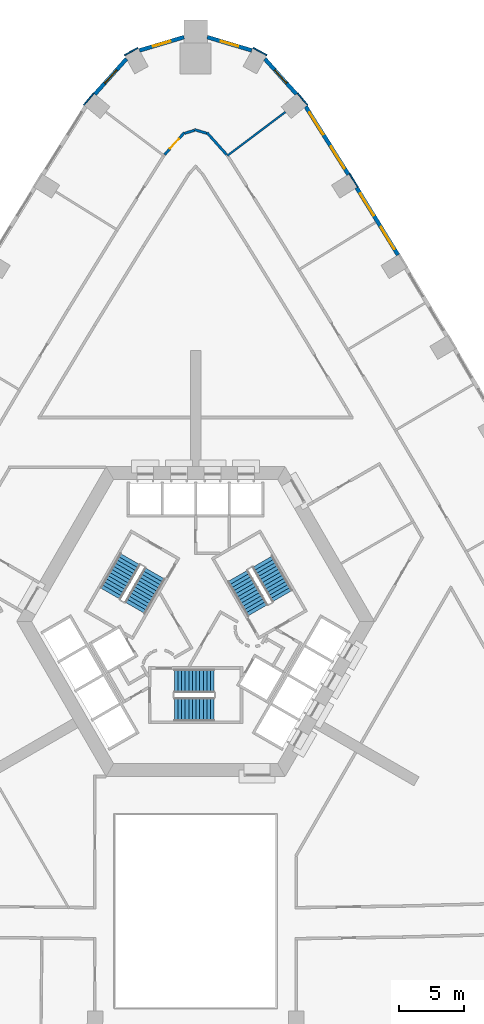
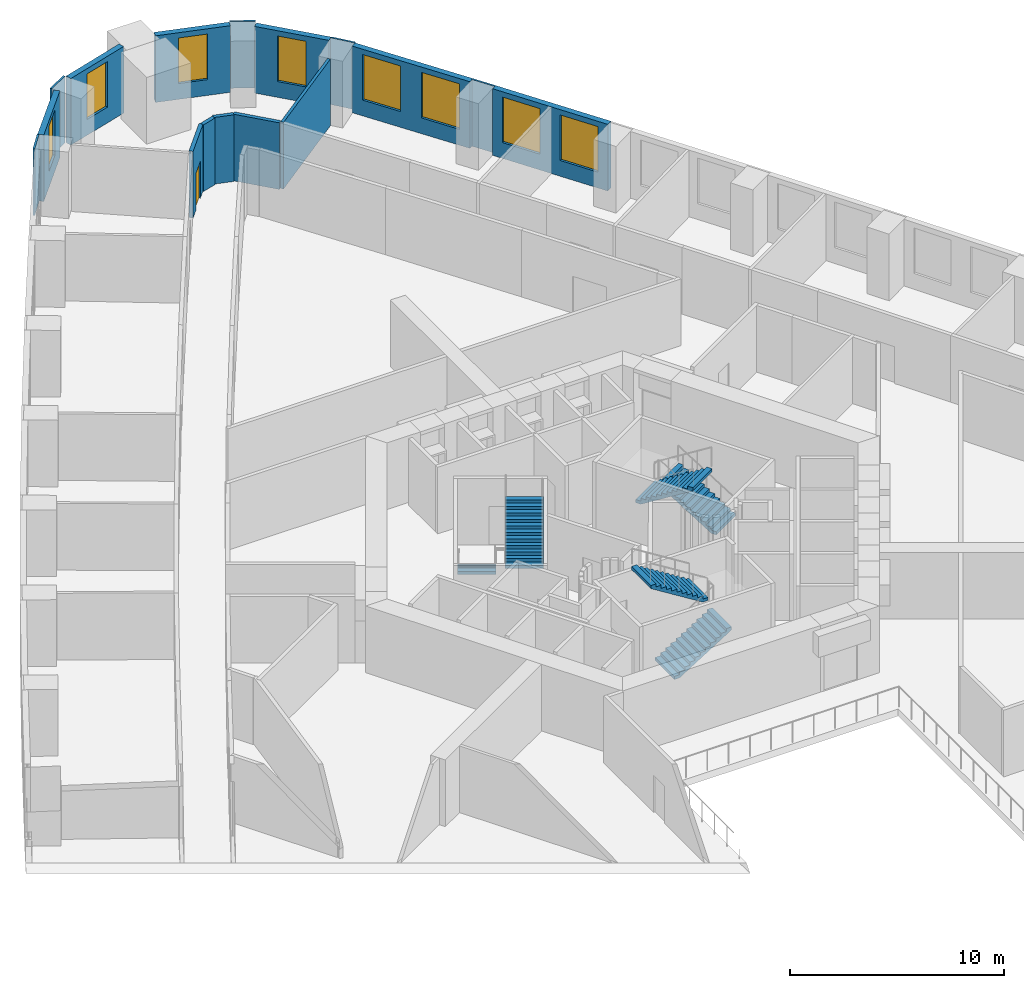
# One storey, part 12 of 14: 16 walls, 8 windows, 6 stair flights, 1 door, 9 openings, 3 elements without a shape of their own.
"""IFC4 building model written with IfcOpenShell, lengths in metres."""

from ifc_helpers import new_model, si_unit, direction, frame, frame_2d, origin, place, context, subcontext, project, spatial, polyline, rectangle, outline, extrude, material, layer, layer_set, type_object, element, fill, aggregate, save


model = new_model("IFC4")

# Units and contexts
model_context = context("Model", 3, precision=1e-05, world=origin(), true_north=direction((0.0, 1.0)))
body_context = subcontext(model_context, "Body", "Model", "MODEL_VIEW")
ifc_project = project(units=[si_unit("LENGTHUNIT", "METRE"), si_unit("AREAUNIT", "SQUARE_METRE"), si_unit("VOLUMEUNIT", "CUBIC_METRE"), si_unit("PLANEANGLEUNIT", "RADIAN"), si_unit("MASSUNIT", "GRAM", prefix="KILO")], contexts=[model_context])

# Site, building, storey
site_placement = place(None, origin())
site = spatial("IfcSite", under=ifc_project, at=site_placement, CompositionType="ELEMENT")
building_placement = place(site_placement, origin())
building = spatial("IfcBuilding", under=site, at=building_placement, Name="Entoto Arch Interchange Tower", CompositionType="ELEMENT")
storey_placement = place(building_placement, frame((0.0, 0.0, 64.39990234375)))
storey = spatial("IfcBuildingStorey", under=building, at=storey_placement, Name="L13", CompositionType="ELEMENT", Elevation=64.39990234375)

# Wall
ifc_material_1 = material(Name="Gypsum board partition on steel studs", Category="steel")
ifc_layer_1 = layer(ifc_material_1, 0.14990234375)
ifc_layer_set_1 = layer_set([ifc_layer_1], Name="Gypsum board partition on steel studs")
wall_type_1 = type_object("IfcWallType", Name="PARTITION 150", PredefinedType="PARTITIONING", material=ifc_layer_set_1)
wall_1_placement = place(storey_placement, frame((2.466064453125, 38.580078125, 0.0), z_axis=(0.0, 0.0, 1.0), x_axis=(0.798796148738, 0.601601789193, 0.0)))
element("IfcWall", 1, at=wall_1_placement, inside=storey, type_object=wall_type_1, Name="wall:L13:p141", PredefinedType="PARTITIONING", context=body_context, shape_type="SweptSolid", body=[
    extrude(rectangle(XDim=5.604736328125, YDim=0.14990234375, at=frame_2d((2.80224609375, 0.0))), origin(), (0.0, 0.0, 1.0), 3.800048828125),
])

# Wall, opening, door
ifc_layer_2 = layer(ifc_material_1, 0.199951171875)
ifc_layer_set_2 = layer_set([ifc_layer_2], Name="Gypsum board partition on steel studs")
wall_type_2 = type_object("IfcWallType", Name="PARTITION 200", PredefinedType="PARTITIONING", material=ifc_layer_set_2)
wall_2_placement = place(storey_placement, frame((-2.39990234375, 38.655029296875, 0.0), z_axis=(0.0, 0.0, 1.0), x_axis=(0.666791730919, 0.745244112743, 0.0)))
wall_2 = element("IfcWall", 2, at=wall_2_placement, inside=storey, type_object=wall_type_2, Name="wall:L13:p062", PredefinedType="PARTITIONING", context=body_context, shape_type="SweptSolid", body=[
    extrude(rectangle(XDim=2.281005859375, YDim=0.199951171875, at=frame_2d((1.140625, 0.0))), origin(), (0.0, 0.0, 1.0), 3.800048828125),
])
opening_1_placement = place(wall_2_placement, frame((0.64111328125, 0.0, 0.0)))
opening_1 = element("IfcOpeningElement", 3, at=opening_1_placement, cuts=wall_2, Name="Opening L13-D09", PredefinedType="OPENING", context=body_context, shape_type="SweptSolid", body=[
    extrude(rectangle(XDim=1.0, YDim=2.10009765625, at=frame_2d((0.5, 1.050048828125))), frame((0.0, 0.10986328125, 0.0), z_axis=(0.0, -1.0, 0.0), x_axis=(1.0, 0.0, 0.0)), (0.0, 0.0, 1.0), 0.219970703125),
])
ifc_material_2 = material(Name="Timber door leaf in Steel S235 frame", Category="steel")
door_type = type_object("IfcDoorType", Name="DOOR DS-10 1000x2100", OperationType="SINGLE_SWING_LEFT", PredefinedType="DOOR", material=ifc_material_2)
door_placement = place(opening_1_placement, origin())
door = element("IfcDoor", 4, at=door_placement, inside=storey, type_object=door_type, Name="door:L13:09", OperationType="SINGLE_SWING_LEFT", OverallHeight=2.10009765625, OverallWidth=1.0, PredefinedType="DOOR", context=body_context, shape_type="SweptSolid", body=[
    extrude(rectangle(XDim=1.0, YDim=2.10009765625, at=frame_2d((0.5, 1.050048828125))), frame((0.0, 0.02490234375, 0.0), z_axis=(0.0, -1.0, 0.0), x_axis=(1.0, 0.0, 0.0)), (0.0, 0.0, 1.0), 0.050048828125),
])
fill(opening_1, door)

# Walls
wall_3_placement = place(storey_placement, frame((-0.84912109375, 40.30908203125, 0.0), z_axis=(0.0, 0.0, 1.0), x_axis=(0.958210118601, 0.286065322279, 0.0)))
element("IfcWall", 5, at=wall_3_placement, inside=storey, type_object=wall_type_2, Name="wall:L13:p063", PredefinedType="PARTITIONING", context=body_context, shape_type="SweptSolid", body=[
    extrude(rectangle(XDim=0.7861328125, YDim=0.199951171875, at=frame_2d((0.39306640625, 0.0))), origin(), (0.0, 0.0, 1.0), 3.800048828125),
])
wall_4_placement = place(storey_placement, frame((-0.095947265625, 40.591064453125, 0.0), z_axis=(0.0, 0.0, 1.0), x_axis=(0.958254449469, -0.285916788721, 0.0)))
element("IfcWall", 6, at=wall_4_placement, inside=storey, type_object=wall_type_2, Name="wall:L13:p064", PredefinedType="PARTITIONING", context=body_context, shape_type="SweptSolid", body=[
    extrude(rectangle(XDim=0.986328125, YDim=0.199951171875, at=frame_2d((0.4931640625, 0.0))), origin(), (0.0, 0.0, 1.0), 3.800048828125),
])
wall_5_placement = place(storey_placement, frame((0.87890625, 40.35498046875, 0.0), z_axis=(0.0, 0.0, 1.0), x_axis=(0.666791730919, -0.745244112743, 0.0)))
element("IfcWall", 7, at=wall_5_placement, inside=storey, type_object=wall_type_2, Name="wall:L13:p065", PredefinedType="PARTITIONING", context=body_context, shape_type="SweptSolid", body=[
    extrude(rectangle(XDim=2.281005859375, YDim=0.199951171875, at=frame_2d((1.140625, 0.0))), origin(), (0.0, 0.0, 1.0), 3.800048828125),
])

# Wall, openings, windows
ifc_material_3 = material(Name="Welded tuff (ignimbrite) cladding, warm buff", Category="masonry")
ifc_layer_3 = layer(ifc_material_3, 0.300048828125)
ifc_layer_set_3 = layer_set([ifc_layer_3], Name="Welded tuff (ignimbrite) cladding, warm buff")
wall_type_3 = type_object("IfcWallType", Name="STONE INFILL WALL 300", PredefinedType="STANDARD", material=ifc_layer_set_3)
wall_6_placement = place(storey_placement, frame((15.677001953125, 30.882080078125, 0.0), z_axis=(0.0, 0.0, 1.0), x_axis=(-0.524239751329, 0.851570715282, 0.0)))
wall_6 = element("IfcWall", 8, at=wall_6_placement, inside=storey, type_object=wall_type_3, Name="Facade wall NE-08 L13", PredefinedType="STANDARD", context=body_context, shape_type="SweptSolid", body=[
    extrude(rectangle(XDim=6.125, YDim=0.300048828125, at=frame_2d((3.0625, 0.0))), origin(), (0.0, 0.0, 1.0), 3.800048828125),
])
opening_2_placement = place(wall_6_placement, frame((0.531005859375, 0.0, 0.89990234375)))
opening_2 = element("IfcOpeningElement", 9, at=opening_2_placement, cuts=wall_6, Name="Opening WO-C", PredefinedType="OPENING", context=body_context, shape_type="SweptSolid", body=[
    extrude(rectangle(XDim=2.0, YDim=2.60009765625, at=frame_2d((1.0, 1.300048828125))), frame((0.0, 0.16015625, 0.0), z_axis=(0.0, -1.0, 0.0), x_axis=(1.0, 0.0, 0.0)), (0.0, 0.0, 1.0), 0.320068359375),
])
opening_3_placement = place(wall_6_placement, frame((3.593994140625, 0.0, 0.89990234375)))
opening_3 = element("IfcOpeningElement", 10, at=opening_3_placement, cuts=wall_6, Name="Opening WO-C", PredefinedType="OPENING", context=body_context, shape_type="SweptSolid", body=[
    extrude(rectangle(XDim=2.0, YDim=2.60009765625, at=frame_2d((1.0, 1.300048828125))), frame((0.0, 0.16015625, 0.0), z_axis=(0.0, -1.0, 0.0), x_axis=(1.0, 0.0, 0.0)), (0.0, 0.0, 1.0), 0.320068359375),
])
ifc_material_4 = material(Name="Clear glass, low-e double glazed", Category="glass")
window_type_1 = type_object("IfcWindowType", Name="WINDOW WO-C 2000x2600", PartitioningType="DOUBLE_PANEL_VERTICAL", PredefinedType="WINDOW", material=ifc_material_4)
window_1_placement = place(opening_2_placement, origin())
window_1 = element("IfcWindow", 11, at=window_1_placement, inside=storey, type_object=window_type_1, Name="Window WO-C NE-08 L13", OverallHeight=2.60009765625, OverallWidth=2.0, PartitioningType="SINGLE_PANEL", PredefinedType="WINDOW", context=body_context, shape_type="SweptSolid", body=[
    extrude(rectangle(XDim=2.0, YDim=2.60009765625, at=frame_2d((1.0, 1.300048828125))), frame((0.0, 0.030029296875, 0.0), z_axis=(0.0, -1.0, 0.0), x_axis=(1.0, 0.0, 0.0)), (0.0, 0.0, 1.0), 0.06005859375),
])
fill(opening_2, window_1)
window_2_placement = place(opening_3_placement, origin())
window_2 = element("IfcWindow", 12, at=window_2_placement, inside=storey, type_object=window_type_1, Name="Window WO-C NE-08 L13", OverallHeight=2.60009765625, OverallWidth=2.0, PartitioningType="SINGLE_PANEL", PredefinedType="WINDOW", context=body_context, shape_type="SweptSolid", body=[
    extrude(rectangle(XDim=2.0, YDim=2.60009765625, at=frame_2d((1.0, 1.300048828125))), frame((0.0, 0.030029296875, 0.0), z_axis=(0.0, -1.0, 0.0), x_axis=(1.0, 0.0, 0.0)), (0.0, 0.0, 1.0), 0.06005859375),
])
fill(opening_3, window_2)

wall_7_placement = place(storey_placement, frame((11.8330078125, 37.115966796875, 0.0), z_axis=(0.0, 0.0, 1.0), x_axis=(-0.532322705893, 0.846541515102, 0.0)))
wall_7 = element("IfcWall", 13, at=wall_7_placement, inside=storey, type_object=wall_type_3, Name="Facade wall NE-09 L13", PredefinedType="STANDARD", context=body_context, shape_type="SweptSolid", body=[
    extrude(rectangle(XDim=6.21826171875, YDim=0.300048828125, at=frame_2d((3.109130859375, 0.0))), origin(), (0.0, 0.0, 1.0), 3.800048828125),
])
opening_4_placement = place(wall_7_placement, frame((0.554931640625, 0.0, 0.89990234375)))
opening_4 = element("IfcOpeningElement", 14, at=opening_4_placement, cuts=wall_7, Name="Opening WO-C", PredefinedType="OPENING", context=body_context, shape_type="SweptSolid", body=[
    extrude(rectangle(XDim=2.0, YDim=2.60009765625, at=frame_2d((1.0, 1.300048828125))), frame((0.0, 0.16015625, 0.0), z_axis=(0.0, -1.0, 0.0), x_axis=(1.0, 0.0, 0.0)), (0.0, 0.0, 1.0), 0.320068359375),
])
opening_5_placement = place(wall_7_placement, frame((3.6640625, 0.0, 0.89990234375)))
opening_5 = element("IfcOpeningElement", 15, at=opening_5_placement, cuts=wall_7, Name="Opening WO-C", PredefinedType="OPENING", context=body_context, shape_type="SweptSolid", body=[
    extrude(rectangle(XDim=2.0, YDim=2.60009765625, at=frame_2d((1.0, 1.300048828125))), frame((0.0, 0.16015625, 0.0), z_axis=(0.0, -1.0, 0.0), x_axis=(1.0, 0.0, 0.0)), (0.0, 0.0, 1.0), 0.320068359375),
])
window_3_placement = place(opening_4_placement, origin())
window_3 = element("IfcWindow", 16, at=window_3_placement, inside=storey, type_object=window_type_1, Name="Window WO-C NE-09 L13", OverallHeight=2.60009765625, OverallWidth=2.0, PartitioningType="SINGLE_PANEL", PredefinedType="WINDOW", context=body_context, shape_type="SweptSolid", body=[
    extrude(rectangle(XDim=2.0, YDim=2.60009765625, at=frame_2d((1.0, 1.300048828125))), frame((0.0, 0.030029296875, 0.0), z_axis=(0.0, -1.0, 0.0), x_axis=(1.0, 0.0, 0.0)), (0.0, 0.0, 1.0), 0.06005859375),
])
fill(opening_4, window_3)
window_4_placement = place(opening_5_placement, origin())
window_4 = element("IfcWindow", 17, at=window_4_placement, inside=storey, type_object=window_type_1, Name="Window WO-C NE-09 L13", OverallHeight=2.60009765625, OverallWidth=2.0, PartitioningType="SINGLE_PANEL", PredefinedType="WINDOW", context=body_context, shape_type="SweptSolid", body=[
    extrude(rectangle(XDim=2.0, YDim=2.60009765625, at=frame_2d((1.0, 1.300048828125))), frame((0.0, 0.030029296875, 0.0), z_axis=(0.0, -1.0, 0.0), x_axis=(1.0, 0.0, 0.0)), (0.0, 0.0, 1.0), 0.06005859375),
])
fill(opening_5, window_4)

# Wall, opening, window
wall_8_placement = place(storey_placement, frame((7.802978515625, 43.339111328125, 0.0), z_axis=(0.0, 0.0, 1.0), x_axis=(-0.666901909312, 0.745145518242, 0.0)))
wall_8 = element("IfcWall", 18, at=wall_8_placement, inside=storey, type_object=wall_type_3, Name="Facade wall N-01 L13", PredefinedType="STANDARD", context=body_context, shape_type="SweptSolid", body=[
    extrude(rectangle(XDim=3.666259765625, YDim=0.300048828125, at=frame_2d((1.8330078125, 0.0))), origin(), (0.0, 0.0, 1.0), 3.800048828125),
])
opening_6_placement = place(wall_8_placement, frame((1.133056640625, 0.0, 0.89990234375)))
opening_6 = element("IfcOpeningElement", 19, at=opening_6_placement, cuts=wall_8, Name="Opening WO-B", PredefinedType="OPENING", context=body_context, shape_type="SweptSolid", body=[
    extrude(rectangle(XDim=1.39990234375, YDim=2.60009765625, at=frame_2d((0.699951171875, 1.300048828125))), frame((0.0, 0.16015625, 0.0), z_axis=(0.0, -1.0, 0.0), x_axis=(1.0, 0.0, 0.0)), (0.0, 0.0, 1.0), 0.320068359375),
])
window_type_2 = type_object("IfcWindowType", Name="WINDOW WO-B 1400x2600", PartitioningType="DOUBLE_PANEL_VERTICAL", PredefinedType="WINDOW", material=ifc_material_4)
window_5_placement = place(opening_6_placement, origin())
window_5 = element("IfcWindow", 20, at=window_5_placement, inside=storey, type_object=window_type_2, Name="Window WO-B N-01 L13", OverallHeight=2.60009765625, OverallWidth=1.39990234375, PartitioningType="SINGLE_PANEL", PredefinedType="WINDOW", context=body_context, shape_type="SweptSolid", body=[
    extrude(rectangle(XDim=1.39990234375, YDim=2.60009765625, at=frame_2d((0.699951171875, 1.300048828125))), frame((0.0, 0.030029296875, 0.0), z_axis=(0.0, -1.0, 0.0), x_axis=(1.0, 0.0, 0.0)), (0.0, 0.0, 1.0), 0.06005859375),
])
fill(opening_6, window_5)

wall_9_placement = place(storey_placement, frame((4.35009765625, 46.72509765625, 0.0), z_axis=(0.0, 0.0, 1.0), x_axis=(-0.958083325779, 0.286489687186, 0.0)))
wall_9 = element("IfcWall", 21, at=wall_9_placement, inside=storey, type_object=wall_type_3, Name="Facade wall N-02 L13", PredefinedType="STANDARD", context=body_context, shape_type="SweptSolid", body=[
    extrude(rectangle(XDim=3.60205078125, YDim=0.300048828125, at=frame_2d((1.801025390625, 0.0))), origin(), (0.0, 0.0, 1.0), 3.800048828125),
])
opening_7_placement = place(wall_9_placement, frame((1.10107421875, 0.0, 0.89990234375)))
opening_7 = element("IfcOpeningElement", 22, at=opening_7_placement, cuts=wall_9, Name="Opening WO-B", PredefinedType="OPENING", context=body_context, shape_type="SweptSolid", body=[
    extrude(rectangle(XDim=1.39990234375, YDim=2.60009765625, at=frame_2d((0.699951171875, 1.300048828125))), frame((0.0, 0.16015625, 0.0), z_axis=(0.0, -1.0, 0.0), x_axis=(1.0, 0.0, 0.0)), (0.0, 0.0, 1.0), 0.320068359375),
])
window_6_placement = place(opening_7_placement, origin())
window_6 = element("IfcWindow", 23, at=window_6_placement, inside=storey, type_object=window_type_2, Name="Window WO-B N-02 L13", OverallHeight=2.60009765625, OverallWidth=1.39990234375, PartitioningType="SINGLE_PANEL", PredefinedType="WINDOW", context=body_context, shape_type="SweptSolid", body=[
    extrude(rectangle(XDim=1.39990234375, YDim=2.60009765625, at=frame_2d((0.699951171875, 1.300048828125))), frame((0.0, 0.030029296875, 0.0), z_axis=(0.0, -1.0, 0.0), x_axis=(1.0, 0.0, 0.0)), (0.0, 0.0, 1.0), 0.06005859375),
])
fill(opening_7, window_6)

wall_10_placement = place(storey_placement, frame((-0.89892578125, 47.757080078125, 0.0), z_axis=(0.0, 0.0, 1.0), x_axis=(-0.958083325779, -0.286489687186, 0.0)))
wall_10 = element("IfcWall", 24, at=wall_10_placement, inside=storey, type_object=wall_type_3, Name="Facade wall N-03 L13", PredefinedType="STANDARD", context=body_context, shape_type="SweptSolid", body=[
    extrude(rectangle(XDim=3.60205078125, YDim=0.300048828125, at=frame_2d((1.801025390625, 0.0))), origin(), (0.0, 0.0, 1.0), 3.800048828125),
])
opening_8_placement = place(wall_10_placement, frame((1.10107421875, 0.0, 0.89990234375)))
opening_8 = element("IfcOpeningElement", 25, at=opening_8_placement, cuts=wall_10, Name="Opening WO-B", PredefinedType="OPENING", context=body_context, shape_type="SweptSolid", body=[
    extrude(rectangle(XDim=1.39990234375, YDim=2.60009765625, at=frame_2d((0.699951171875, 1.300048828125))), frame((0.0, 0.16015625, 0.0), z_axis=(0.0, -1.0, 0.0), x_axis=(1.0, 0.0, 0.0)), (0.0, 0.0, 1.0), 0.320068359375),
])
window_7_placement = place(opening_8_placement, origin())
window_7 = element("IfcWindow", 26, at=window_7_placement, inside=storey, type_object=window_type_2, Name="Window WO-B N-03 L13", OverallHeight=2.60009765625, OverallWidth=1.39990234375, PartitioningType="SINGLE_PANEL", PredefinedType="WINDOW", context=body_context, shape_type="SweptSolid", body=[
    extrude(rectangle(XDim=1.39990234375, YDim=2.60009765625, at=frame_2d((0.699951171875, 1.300048828125))), frame((0.0, 0.030029296875, 0.0), z_axis=(0.0, -1.0, 0.0), x_axis=(1.0, 0.0, 0.0)), (0.0, 0.0, 1.0), 0.06005859375),
])
fill(opening_8, window_7)

wall_11_placement = place(storey_placement, frame((-5.35791015625, 46.071044921875, 0.0), z_axis=(0.0, 0.0, 1.0), x_axis=(-0.666901909312, -0.745145518242, 0.0)))
wall_11 = element("IfcWall", 27, at=wall_11_placement, inside=storey, type_object=wall_type_3, Name="Facade wall N-04 L13", PredefinedType="STANDARD", context=body_context, shape_type="SweptSolid", body=[
    extrude(rectangle(XDim=3.666259765625, YDim=0.300048828125, at=frame_2d((1.8330078125, 0.0))), origin(), (0.0, 0.0, 1.0), 3.800048828125),
])
opening_9_placement = place(wall_11_placement, frame((1.133056640625, 0.0, 0.89990234375)))
opening_9 = element("IfcOpeningElement", 28, at=opening_9_placement, cuts=wall_11, Name="Opening WO-B", PredefinedType="OPENING", context=body_context, shape_type="SweptSolid", body=[
    extrude(rectangle(XDim=1.39990234375, YDim=2.60009765625, at=frame_2d((0.699951171875, 1.300048828125))), frame((0.0, 0.16015625, 0.0), z_axis=(0.0, -1.0, 0.0), x_axis=(1.0, 0.0, 0.0)), (0.0, 0.0, 1.0), 0.320068359375),
])
window_8_placement = place(opening_9_placement, origin())
window_8 = element("IfcWindow", 29, at=window_8_placement, inside=storey, type_object=window_type_2, Name="Window WO-B N-04 L13", OverallHeight=2.60009765625, OverallWidth=1.39990234375, PartitioningType="SINGLE_PANEL", PredefinedType="WINDOW", context=body_context, shape_type="SweptSolid", body=[
    extrude(rectangle(XDim=1.39990234375, YDim=2.60009765625, at=frame_2d((0.699951171875, 1.300048828125))), frame((0.0, 0.030029296875, 0.0), z_axis=(0.0, -1.0, 0.0), x_axis=(1.0, 0.0, 0.0)), (0.0, 0.0, 1.0), 0.06005859375),
])
fill(opening_9, window_8)

# Walls
ifc_layer_4 = layer(ifc_material_3, 0.10009765625)
ifc_layer_set_4 = layer_set([ifc_layer_4], Name="Welded tuff (ignimbrite) cladding, warm buff")
wall_type_4 = type_object("IfcWallType", Name="STONE PIER CLADDING 100", PredefinedType="STANDARD", material=ifc_layer_set_4)
for number, where, z_axis, x_axis, name in (
    (30, (5.512939453125, 46.35205078125, 0.0), (0.0, 0.0, 1.0), (-0.877155474831, 0.480206489934, 0.0), "Stone pier N1 L13"),
    (31, (-4.4609375, 46.927978515625, 0.0), (0.0, 0.0, 1.0), (-0.877155474831, -0.480206489934, 0.0), "Stone pier N3 L13"),
):
    element("IfcWall", number, at=place(storey_placement, frame(where, z_axis=z_axis, x_axis=x_axis)), inside=storey, type_object=wall_type_4, Name=name, PredefinedType="STANDARD", context=body_context, shape_type="SweptSolid", body=[
        extrude(rectangle(XDim=1.19921875, YDim=0.10009765625, at=frame_2d((0.599609375, 0.0))), origin(), (0.0, 0.0, 1.0), 3.800048828125),
    ])
wall_12_placement = place(storey_placement, frame((12.554931640625, 36.153076171875, 0.0), z_axis=(0.0, 0.0, 1.0), x_axis=(-0.530273374944, 0.847826720401, 0.0)))
element("IfcWall", 32, at=wall_12_placement, inside=storey, type_object=wall_type_4, Name="Stone pier NE09 L13", PredefinedType="STANDARD", context=body_context, shape_type="SweptSolid", body=[
    extrude(rectangle(XDim=1.199462890625, YDim=0.10009765625, at=frame_2d((0.599609375, 0.0))), origin(), (0.0, 0.0, 1.0), 3.800048828125),
])
for number, where, z_axis, x_axis, name in (
    (33, (8.662109375, 42.493896484375, 0.0), (0.0, 0.0, 1.0), (-0.637759271497, 0.770235750676, 0.0), "Stone pier NE10 L13"),
    (34, (-7.89697265625, 43.41796875, 0.0), (0.0, 0.0, 1.0), (-0.637759271497, -0.770235750676, 0.0), "Stone pier NW01 L13"),
):
    element("IfcWall", number, at=place(storey_placement, frame(where, z_axis=z_axis, x_axis=x_axis)), inside=storey, type_object=wall_type_4, Name=name, PredefinedType="STANDARD", context=body_context, shape_type="SweptSolid", body=[
        extrude(rectangle(XDim=1.19970703125, YDim=0.10009765625, at=frame_2d((0.599853515625, 0.0))), origin(), (0.0, 0.0, 1.0), 3.800048828125),
    ])

# Stair, stair flights
ifc_material_5 = material(Name="Concrete C40/50", Category="concrete")
stair_type = type_object("IfcStairType", Name="EXIT STAIR RC 1800", PredefinedType="HALF_TURN_STAIR", material=ifc_material_5)
stair_1_placement = place(storey_placement, origin())
stair_1 = element("IfcStair", 35, at=stair_1_placement, inside=storey, type_object=stair_type, Name="L13 Exit stair S", PredefinedType="HALF_TURN_STAIR")
stair_flight_type = type_object("IfcStairFlightType", Name="EXIT STAIR FLIGHT RC 1800", PredefinedType="STRAIGHT", material=ifc_material_5)
stair_flight_1_placement = place(storey_placement, frame((-1.64990234375, -4.300048828125, 0.0), z_axis=(0.0, 0.0, 1.0), x_axis=(1.0, 0.0, 0.0)))
stair_flight_1 = element("IfcStairFlight", 36, at=stair_flight_1_placement, type_object=stair_flight_type, Name="ST-S flight 1", NumberOfRisers=12, NumberOfTreads=11, PredefinedType="STRAIGHT", RiserHeight=0.175, TreadLength=0.28, context=body_context, shape_type="SweptSolid", body=[
    extrude(outline(polyline([(-0.0029296875, 0.0), (-0.0029296875, 0.175048828125), (0.280029296875, 0.175048828125), (0.280029296875, 0.35009765625), (0.56005859375, 0.35009765625), (0.56005859375, 0.52490234375), (0.840087890625, 0.52490234375), (0.840087890625, 0.699951171875), (1.1201171875, 0.699951171875), (1.1201171875, 0.875), (1.39990234375, 0.875), (1.39990234375, 1.050048828125), (1.679931640625, 1.050048828125), (1.679931640625, 1.22509765625), (1.9599609375, 1.22509765625), (1.9599609375, 1.39990234375), (2.239990234375, 1.39990234375), (2.239990234375, 1.574951171875), (2.52001953125, 1.574951171875), (2.52001953125, 1.75), (2.800048828125, 1.75), (2.800048828125, 1.925048828125), (3.080078125, 1.925048828125), (3.0830078125, 1.925048828125), (3.0830078125, 1.75), (0.28271484375, 0.0), (-0.0029296875, 0.0)])), frame((0.0, 0.89990234375, 0.0), z_axis=(0.0, -1.0, 0.0), x_axis=(1.0, 0.0, 0.0)), (0.0, 0.0, 1.0), 1.800048828125),
])
stair_flight_2_placement = place(storey_placement, frame((1.429931640625, -2.10009765625, 2.10009765625), z_axis=(0.0, 0.0, 1.0), x_axis=(-1.0, 0.0, 0.0)))
stair_flight_2 = element("IfcStairFlight", 37, at=stair_flight_2_placement, type_object=stair_flight_type, Name="ST-S flight 2", NumberOfRisers=12, NumberOfTreads=11, PredefinedType="STRAIGHT", RiserHeight=0.175, TreadLength=0.28, context=body_context, shape_type="SweptSolid", body=[
    extrude(outline(polyline([(-0.0029296875, 0.0), (-0.0029296875, 0.175048828125), (0.280029296875, 0.175048828125), (0.280029296875, 0.35009765625), (0.56005859375, 0.35009765625), (0.56005859375, 0.52490234375), (0.840087890625, 0.52490234375), (0.840087890625, 0.699951171875), (1.1201171875, 0.699951171875), (1.1201171875, 0.875), (1.39990234375, 0.875), (1.39990234375, 1.050048828125), (1.679931640625, 1.050048828125), (1.679931640625, 1.22509765625), (1.9599609375, 1.22509765625), (1.9599609375, 1.39990234375), (2.239990234375, 1.39990234375), (2.239990234375, 1.574951171875), (2.52001953125, 1.574951171875), (2.52001953125, 1.75), (2.800048828125, 1.75), (2.800048828125, 1.925048828125), (3.080078125, 1.925048828125), (3.0830078125, 1.925048828125), (3.0830078125, 1.75), (0.28271484375, 0.0), (-0.0029296875, 0.0)])), frame((0.0, 0.89990234375, 0.0), z_axis=(0.0, -1.0, 0.0), x_axis=(1.0, 0.0, 0.0)), (0.0, 0.0, 1.0), 1.800048828125),
])
aggregate(stair_1, [stair_flight_1, stair_flight_2])

stair_2_placement = place(storey_placement, origin())
stair_2 = element("IfcStair", 38, at=stair_2_placement, inside=storey, type_object=stair_type, Name="L13 Exit stair NE", PredefinedType="HALF_TURN_STAIR")
stair_flight_3_placement = place(storey_placement, frame((6.7138671875, 4.470947265625, 0.0), z_axis=(0.0, 0.0, 1.0), x_axis=(-0.5, 0.866025403784, 0.0)))
stair_flight_3 = element("IfcStairFlight", 39, at=stair_flight_3_placement, type_object=stair_flight_type, Name="ST-NE flight 1", NumberOfRisers=12, NumberOfTreads=11, PredefinedType="STRAIGHT", RiserHeight=0.175, TreadLength=0.28, context=body_context, shape_type="SweptSolid", body=[
    extrude(outline(polyline([(-0.0029296875, 0.0), (-0.0029296875, 0.175048828125), (0.280029296875, 0.175048828125), (0.280029296875, 0.35009765625), (0.56005859375, 0.35009765625), (0.56005859375, 0.52490234375), (0.840087890625, 0.52490234375), (0.840087890625, 0.699951171875), (1.1201171875, 0.699951171875), (1.1201171875, 0.875), (1.39990234375, 0.875), (1.39990234375, 1.050048828125), (1.679931640625, 1.050048828125), (1.679931640625, 1.22509765625), (1.9599609375, 1.22509765625), (1.9599609375, 1.39990234375), (2.239990234375, 1.39990234375), (2.239990234375, 1.574951171875), (2.52001953125, 1.574951171875), (2.52001953125, 1.75), (2.800048828125, 1.75), (2.800048828125, 1.925048828125), (3.080078125, 1.925048828125), (3.0830078125, 1.925048828125), (3.0830078125, 1.75), (0.28271484375, 0.0), (-0.0029296875, 0.0)])), frame((0.0, 0.89990234375, 0.0), z_axis=(0.0, -1.0, 0.0), x_axis=(1.0, 0.0, 0.0)), (0.0, 0.0, 1.0), 1.800048828125),
])
stair_flight_4_placement = place(storey_placement, frame((3.268798828125, 6.038330078125, 2.10009765625), z_axis=(0.0, 0.0, 1.0), x_axis=(0.5, -0.866025403784, 0.0)))
stair_flight_4 = element("IfcStairFlight", 40, at=stair_flight_4_placement, type_object=stair_flight_type, Name="ST-NE flight 2", NumberOfRisers=12, NumberOfTreads=11, PredefinedType="STRAIGHT", RiserHeight=0.175, TreadLength=0.28, context=body_context, shape_type="SweptSolid", body=[
    extrude(outline(polyline([(-0.0029296875, 0.0), (-0.0029296875, 0.175048828125), (0.280029296875, 0.175048828125), (0.280029296875, 0.35009765625), (0.56005859375, 0.35009765625), (0.56005859375, 0.52490234375), (0.840087890625, 0.52490234375), (0.840087890625, 0.699951171875), (1.1201171875, 0.699951171875), (1.1201171875, 0.875), (1.39990234375, 0.875), (1.39990234375, 1.050048828125), (1.679931640625, 1.050048828125), (1.679931640625, 1.22509765625), (1.9599609375, 1.22509765625), (1.9599609375, 1.39990234375), (2.239990234375, 1.39990234375), (2.239990234375, 1.574951171875), (2.52001953125, 1.574951171875), (2.52001953125, 1.75), (2.800048828125, 1.75), (2.800048828125, 1.925048828125), (3.080078125, 1.925048828125), (3.0830078125, 1.925048828125), (3.0830078125, 1.75), (0.28271484375, 0.0), (-0.0029296875, 0.0)])), frame((0.0, 0.89990234375, 0.0), z_axis=(0.0, -1.0, 0.0), x_axis=(1.0, 0.0, 0.0)), (0.0, 0.0, 1.0), 1.800048828125),
])
aggregate(stair_2, [stair_flight_3, stair_flight_4])

stair_3_placement = place(storey_placement, origin())
stair_3 = element("IfcStair", 41, at=stair_3_placement, inside=storey, type_object=stair_type, Name="L13 Exit stair NW", PredefinedType="HALF_TURN_STAIR")
stair_flight_5_placement = place(storey_placement, frame((-5.06396484375, 7.328857421875, 0.0), z_axis=(0.0, 0.0, 1.0), x_axis=(-0.5, -0.866025403784, 0.0)))
stair_flight_5 = element("IfcStairFlight", 42, at=stair_flight_5_placement, type_object=stair_flight_type, Name="ST-NW flight 1", NumberOfRisers=12, NumberOfTreads=11, PredefinedType="STRAIGHT", RiserHeight=0.175, TreadLength=0.28, context=body_context, shape_type="SweptSolid", body=[
    extrude(outline(polyline([(-0.0029296875, 0.0), (-0.0029296875, 0.175048828125), (0.280029296875, 0.175048828125), (0.280029296875, 0.35009765625), (0.56005859375, 0.35009765625), (0.56005859375, 0.52490234375), (0.840087890625, 0.52490234375), (0.840087890625, 0.699951171875), (1.1201171875, 0.699951171875), (1.1201171875, 0.875), (1.39990234375, 0.875), (1.39990234375, 1.050048828125), (1.679931640625, 1.050048828125), (1.679931640625, 1.22509765625), (1.9599609375, 1.22509765625), (1.9599609375, 1.39990234375), (2.239990234375, 1.39990234375), (2.239990234375, 1.574951171875), (2.52001953125, 1.574951171875), (2.52001953125, 1.75), (2.800048828125, 1.75), (2.800048828125, 1.925048828125), (3.080078125, 1.925048828125), (3.0830078125, 1.925048828125), (3.0830078125, 1.75), (0.28271484375, 0.0), (-0.0029296875, 0.0)])), frame((0.0, 0.89990234375, 0.0), z_axis=(0.0, -1.0, 0.0), x_axis=(1.0, 0.0, 0.0)), (0.0, 0.0, 1.0), 1.800048828125),
])
stair_flight_6_placement = place(storey_placement, frame((-4.69873046875, 3.5615234375, 2.10009765625), z_axis=(0.0, 0.0, 1.0), x_axis=(0.5, 0.866025403784, 0.0)))
stair_flight_6 = element("IfcStairFlight", 43, at=stair_flight_6_placement, type_object=stair_flight_type, Name="ST-NW flight 2", NumberOfRisers=12, NumberOfTreads=11, PredefinedType="STRAIGHT", RiserHeight=0.175, TreadLength=0.28, context=body_context, shape_type="SweptSolid", body=[
    extrude(outline(polyline([(-0.0029296875, 0.0), (-0.0029296875, 0.175048828125), (0.280029296875, 0.175048828125), (0.280029296875, 0.35009765625), (0.56005859375, 0.35009765625), (0.56005859375, 0.52490234375), (0.840087890625, 0.52490234375), (0.840087890625, 0.699951171875), (1.1201171875, 0.699951171875), (1.1201171875, 0.875), (1.39990234375, 0.875), (1.39990234375, 1.050048828125), (1.679931640625, 1.050048828125), (1.679931640625, 1.22509765625), (1.9599609375, 1.22509765625), (1.9599609375, 1.39990234375), (2.239990234375, 1.39990234375), (2.239990234375, 1.574951171875), (2.52001953125, 1.574951171875), (2.52001953125, 1.75), (2.800048828125, 1.75), (2.800048828125, 1.925048828125), (3.080078125, 1.925048828125), (3.0830078125, 1.925048828125), (3.0830078125, 1.75), (0.28271484375, 0.0), (-0.0029296875, 0.0)])), frame((0.0, 0.89990234375, 0.0), z_axis=(0.0, -1.0, 0.0), x_axis=(1.0, 0.0, 0.0)), (0.0, 0.0, 1.0), 1.800048828125),
])
aggregate(stair_3, [stair_flight_5, stair_flight_6])

save(model, "model.ifc")
